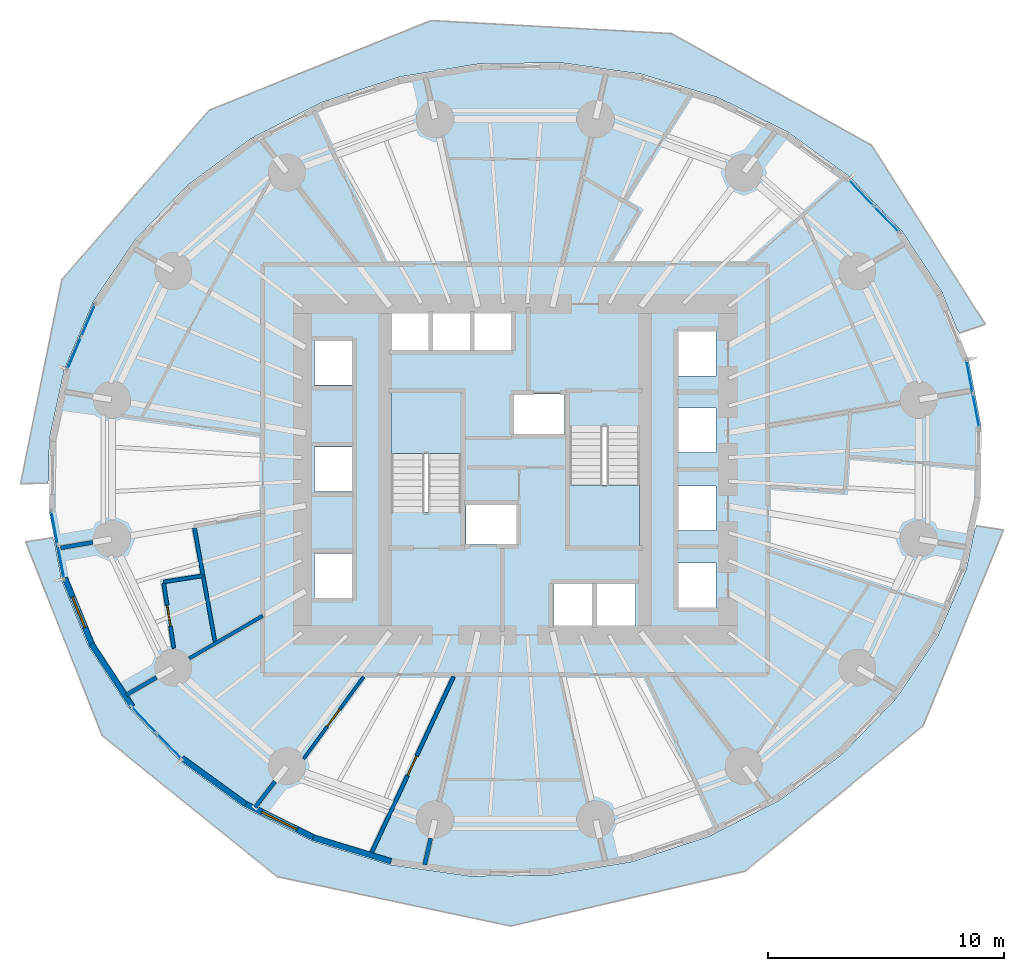
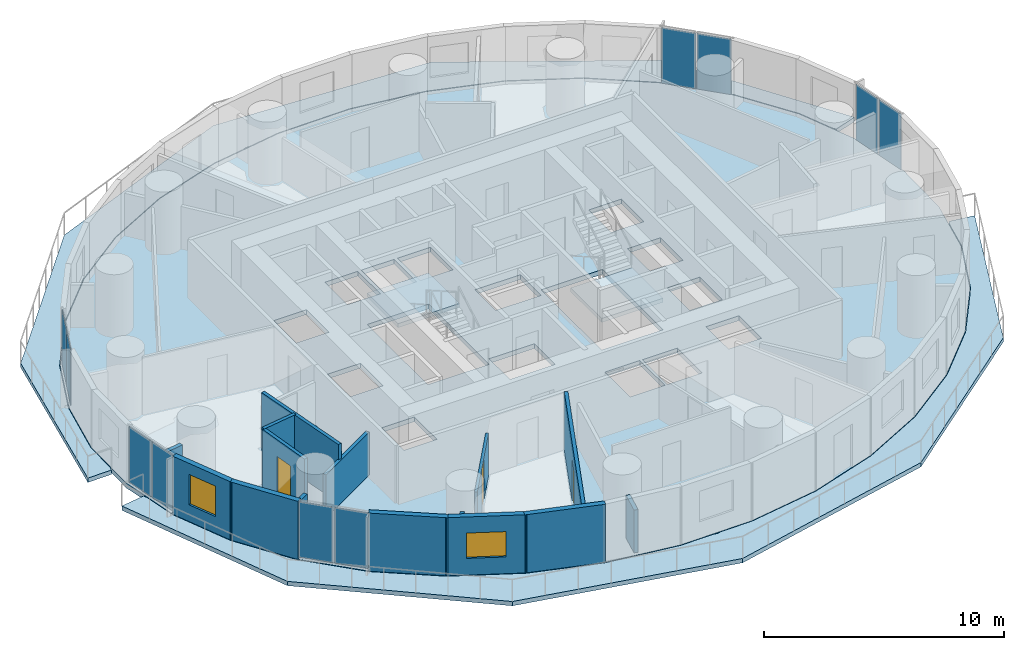
# One storey, part 6 of 14: 15 walls, 10 plates, 5 slabs, 3 doors, 2 windows, 5 openings, 7 elements without a shape of their own.
"""IFC4 building model written with IfcOpenShell, lengths in metres."""

from ifc_helpers import new_model, si_unit, direction, frame, frame_2d, origin, origin_2d, place, context, subcontext, project, spatial, polyline, rectangle, outline, extrude, material, layer, layer_set, type_object, element, fill, aggregate, save


model = new_model("IFC4")

# Units and contexts
model_context = context("Model", 3, precision=1e-05, world=origin(), true_north=direction((0.0, 1.0)))
body_context = subcontext(model_context, "Body", "Model", "MODEL_VIEW")
ifc_project = project(units=[si_unit("LENGTHUNIT", "METRE"), si_unit("AREAUNIT", "SQUARE_METRE"), si_unit("VOLUMEUNIT", "CUBIC_METRE"), si_unit("PLANEANGLEUNIT", "RADIAN"), si_unit("MASSUNIT", "GRAM", prefix="KILO")], contexts=[model_context])

# Site, building, storey
site_placement = place(None, origin())
site = spatial("IfcSite", under=ifc_project, at=site_placement, CompositionType="ELEMENT")
building_placement = place(site_placement, origin())
building = spatial("IfcBuilding", under=site, at=building_placement, Name="Veldorim Arch Residences", CompositionType="ELEMENT")
storey_placement = place(building_placement, frame((0.0, 0.0, 31.199951171875)))
storey = spatial("IfcBuildingStorey", under=building, at=storey_placement, Name="L08", CompositionType="ELEMENT", Elevation=31.199951171875)

# Slabs
ifc_material_1 = material(Name="Concrete C40/50", Category="concrete")
ifc_layer_1 = layer(ifc_material_1, 0.219970703125, Name="Planted Crescent Cantilever Balcony Slab 220")
ifc_layer_set_1 = layer_set([ifc_layer_1], Name="Concrete C40/50")
slab_type_1 = type_object("IfcSlabType", Name="Planted Crescent Cantilever Balcony Slab 220", PredefinedType="FLOOR", material=ifc_layer_set_1)
slab_1_placement = place(storey_placement, frame((0.0, 0.0, -0.219970703125)))
element("IfcSlab", 1, at=slab_1_placement, inside=storey, type_object=slab_type_1, Name="L08 planted crescent balcony slab A", PredefinedType="FLOOR", context=body_context, shape_type="SweptSolid", body=[
    extrude(outline(polyline([(50.68505859375, 29.9228515625), (50.039306640625, 31.50634765625), (48.34521484375, 34.0888671875), (46.154296875, 36.364501953125), (43.533447265625, 38.2646484375), (40.562255859375, 39.731201171875), (37.331298828125, 40.719482421875), (33.9384765625, 41.2001953125), (30.48681640625, 41.158447265625), (28.98876953125, 40.910888671875), (28.791015625, 40.919189453125), (28.60693359375, 40.84765625), (27.0810546875, 40.595458984375), (23.82470703125, 39.5283203125), (20.81640625, 37.989501953125), (18.14794921875, 36.02587890625), (15.900146484375, 33.696533203125), (14.141357421875, 31.072265625), (12.92529296875, 28.23291015625), (12.288818359375, 25.264892578125), (12.268310546875, 23.6015625), (12.219482421875, 23.41748046875), (11.06982421875, 23.393798828125), (12.82080078125, 32.031005859375), (19.05859375, 39.198486328125), (28.426513671875, 42.9873046875), (38.608642578125, 42.4375), (47.082763671875, 37.701171875), (51.885498046875, 30.13818359375), (50.797119140625, 29.767333984375), (50.68505859375, 29.9228515625)])), origin(), (0.0, 0.0, 1.0), 0.219970703125),
])
slab_2_placement = place(storey_placement, frame((0.0, 0.0, -0.219970703125)))
element("IfcSlab", 2, at=slab_2_placement, inside=storey, type_object=slab_type_1, Name="L08 planted crescent balcony slab B", PredefinedType="FLOOR", context=body_context, shape_type="SweptSolid", body=[
    extrude(outline(polyline([(12.503173828125, 20.9384765625), (12.814453125, 19.3046875), (13.960693359375, 16.49365234375), (15.65478515625, 13.9111328125), (17.845703125, 11.635498046875), (20.466552734375, 9.7353515625), (23.437744140625, 8.268798828125), (26.668701171875, 7.280517578125), (30.0615234375, 6.7998046875), (31.6083984375, 6.818359375), (31.8017578125, 6.7802734375), (31.994873046875, 6.822998046875), (33.51318359375, 6.841552734375), (36.9189453125, 7.404541015625), (40.17529296875, 8.4716796875), (43.18359375, 10.010498046875), (45.85205078125, 11.97412109375), (48.099853515625, 14.303466796875), (49.858642578125, 16.927734375), (51.07470703125, 19.76708984375), (51.43310546875, 21.438720703125), (51.516357421875, 21.611572265625), (52.653076171875, 21.43701171875), (49.248046875, 13.150146484375), (41.733642578125, 7.00390625), (31.8046875, 4.680419921875), (21.91845703125, 6.77099609375), (14.5224609375, 12.736083984375), (11.286865234375, 20.93359375), (12.4228515625, 21.111572265625), (12.503173828125, 20.9384765625)])), origin(), (0.0, 0.0, 1.0), 0.219970703125),
])

# Stair, slab
ifc_material_2 = material(Name="Concrete C40/50", Category="concrete")
stair_type = type_object("IfcStairType", Name="Reinforced Concrete Dogleg Exit Staircase", PredefinedType="HALF_TURN_STAIR", material=ifc_material_2)
stair_1_placement = place(storey_placement, origin())
stair_1 = element("IfcStair", 3, at=stair_1_placement, inside=storey, type_object=stair_type, Name="L08 Exit Staircase ST-1", PredefinedType="HALF_TURN_STAIR")
ifc_material_3 = material(Name="Concrete C40/50", Category="concrete")
ifc_layer_2 = layer(ifc_material_3, 0.199951171875, Name="Reinforced Concrete Stair Landing 200")
ifc_layer_set_2 = layer_set([ifc_layer_2], Name="Concrete C40/50")
slab_type_2 = type_object("IfcSlabType", Name="Reinforced Concrete Stair Landing 200", PredefinedType="LANDING", material=ifc_layer_set_2)
slab_3_placement = place(storey_placement, frame((0.0, 0.0, 1.400146484375)))
slab_3 = element("IfcSlab", 4, at=slab_3_placement, type_object=slab_type_2, Name="ST-1 landing 1", PredefinedType="LANDING", context=body_context, shape_type="SweptSolid", body=[
    extrude(outline(polyline([(29.7099609375, 24.669921875), (29.7099609375, 27.25), (26.75, 27.25), (26.75, 24.669921875), (29.7099609375, 24.669921875)])), origin(), (0.0, 0.0, 1.0), 0.199951171875),
])
aggregate(stair_1, [slab_3])

stair_2_placement = place(storey_placement, origin())
stair_2 = element("IfcStair", 5, at=stair_2_placement, inside=storey, type_object=stair_type, Name="L08 Exit Staircase ST-2", PredefinedType="HALF_TURN_STAIR")
slab_4_placement = place(storey_placement, frame((0.0, 0.0, 1.400146484375)))
slab_4 = element("IfcSlab", 6, at=slab_4_placement, type_object=slab_type_2, Name="ST-2 landing 1", PredefinedType="LANDING", context=body_context, shape_type="SweptSolid", body=[
    extrude(outline(polyline([(34.2900390625, 23.330078125), (34.2900390625, 20.75), (37.25, 20.75), (37.25, 23.330078125), (34.2900390625, 23.330078125)])), origin(), (0.0, 0.0, 1.0), 0.199951171875),
])
aggregate(stair_2, [slab_4])

# Slab
ifc_material_4 = material(Name="Concrete C40/50", Category="concrete")
ifc_layer_3 = layer(ifc_material_4, 0.239990234375, Name="Typical Residential Floor Slab 240")
ifc_layer_set_3 = layer_set([ifc_layer_3], Name="Concrete C40/50")
slab_type_3 = type_object("IfcSlabType", Name="Typical Residential Floor Slab 240", PredefinedType="FLOOR", material=ifc_layer_set_3)
slab_5_placement = place(storey_placement, frame((0.0, 0.0, -0.239990234375)))
element("IfcSlab", 7, at=slab_5_placement, inside=storey, type_object=slab_type_3, Name="L08 tower structural floor slab", PredefinedType="FLOOR", context=body_context, shape_type="SweptSolid", body=[
    extrude(outline(polyline([(51.723388671875, 25.739501953125), (51.161376953125, 28.688232421875), (50.01708984375, 31.49462890625), (48.325439453125, 34.0732421875), (46.1376953125, 36.345703125), (43.5205078125, 38.2431640625), (40.552978515625, 39.707763671875), (37.325927734375, 40.695068359375), (33.93701171875, 41.17529296875), (30.489013671875, 41.133544921875), (27.0869140625, 40.571044921875), (23.834228515625, 39.50537109375), (20.82958984375, 37.96826171875), (18.16455078125, 36.0068359375), (15.919677734375, 33.6806640625), (14.16357421875, 31.060302734375), (12.94921875, 28.225341796875), (12.313720703125, 25.26220703125), (12.276611328125, 22.260498046875), (12.838623046875, 19.311767578125), (13.98291015625, 16.50537109375), (15.674560546875, 13.9267578125), (17.8623046875, 11.654296875), (20.4794921875, 9.7568359375), (23.447021484375, 8.292236328125), (26.674072265625, 7.304931640625), (30.06298828125, 6.82470703125), (33.510986328125, 6.866455078125), (36.9130859375, 7.428955078125), (40.165771484375, 8.49462890625), (43.17041015625, 10.03173828125), (45.83544921875, 11.9931640625), (48.080322265625, 14.3193359375), (49.83642578125, 16.939697265625), (51.05078125, 19.774658203125), (51.686279296875, 22.73779296875), (51.723388671875, 25.739501953125)]), holes=[polyline([(23.510009765625, 20.43994140625), (25.090087890625, 20.43994140625), (25.090087890625, 18.56005859375), (23.510009765625, 18.56005859375), (23.510009765625, 20.43994140625)]), polyline([(29.909912109375, 22.544921875), (32.090087890625, 22.544921875), (32.090087890625, 20.81494140625), (29.909912109375, 20.81494140625), (29.909912109375, 22.544921875)]), polyline([(23.510009765625, 24.93994140625), (25.090087890625, 24.93994140625), (25.090087890625, 23.06005859375), (23.510009765625, 23.06005859375), (23.510009765625, 24.93994140625)]), polyline([(26.75, 27.25), (29.7099609375, 27.25), (29.7099609375, 22.195068359375), (26.75, 22.195068359375), (26.75, 27.25)]), polyline([(23.510009765625, 29.43994140625), (25.090087890625, 29.43994140625), (25.090087890625, 27.56005859375), (23.510009765625, 27.56005859375), (23.510009765625, 29.43994140625)]), polyline([(26.760009765625, 30.7900390625), (28.340087890625, 30.7900390625), (28.340087890625, 28.909912109375), (26.760009765625, 28.909912109375), (26.760009765625, 30.7900390625)]), polyline([(28.510009765625, 30.7900390625), (30.090087890625, 30.7900390625), (30.090087890625, 28.909912109375), (28.510009765625, 28.909912109375), (28.510009765625, 30.7900390625)]), polyline([(30.260009765625, 30.7900390625), (31.840087890625, 30.7900390625), (31.840087890625, 28.909912109375), (30.260009765625, 28.909912109375), (30.260009765625, 30.7900390625)]), polyline([(33.610107421875, 19.2900390625), (35.2900390625, 19.2900390625), (35.2900390625, 17.2099609375), (33.610107421875, 17.2099609375), (33.610107421875, 19.2900390625)]), polyline([(35.409912109375, 19.2900390625), (37.090087890625, 19.2900390625), (37.090087890625, 17.2099609375), (35.409912109375, 17.2099609375), (35.409912109375, 19.2900390625)]), polyline([(38.909912109375, 20.0400390625), (40.489990234375, 20.0400390625), (40.489990234375, 18.159912109375), (38.909912109375, 18.159912109375), (38.909912109375, 20.0400390625)]), polyline([(38.909912109375, 23.2900390625), (40.489990234375, 23.2900390625), (40.489990234375, 21.409912109375), (38.909912109375, 21.409912109375), (38.909912109375, 23.2900390625)]), polyline([(34.2900390625, 25.804931640625), (37.25, 25.804931640625), (37.25, 20.75), (34.2900390625, 20.75), (34.2900390625, 25.804931640625)]), polyline([(38.909912109375, 26.590087890625), (40.489990234375, 26.590087890625), (40.489990234375, 24.7099609375), (38.909912109375, 24.7099609375), (38.909912109375, 26.590087890625)]), polyline([(31.909912109375, 27.18505859375), (34.090087890625, 27.18505859375), (34.090087890625, 25.455078125), (31.909912109375, 25.455078125), (31.909912109375, 27.18505859375)]), polyline([(38.909912109375, 29.840087890625), (40.489990234375, 29.840087890625), (40.489990234375, 27.9599609375), (38.909912109375, 27.9599609375), (38.909912109375, 29.840087890625)])]), origin(), (0.0, 0.0, 1.0), 0.239990234375),
])

# Curtain wall, plates
ifc_material_5 = material(Name="Aluminium", Category="aluminium")
curtain_wall_type = type_object("IfcCurtainWallType", Name="Zone 1 Acoustic Low-E Unitised Curtain Wall", PredefinedType="NOTDEFINED", material=ifc_material_5)
curtain_wall_1_placement = place(storey_placement, origin())
curtain_wall_1 = element("IfcCurtainWall", 8, at=curtain_wall_1_placement, inside=storey, type_object=curtain_wall_type, Name="L08 unitised curtain wall bay 01", PredefinedType="NOTDEFINED")
ifc_material_6 = material(Name="Laminated Low-E Glass", Category="glass")
ifc_layer_4 = layer(ifc_material_6, 0.02587890625, Name="Zone 1 Acoustic Low-E Unitised Curtain Wall Glazing Panel 26")
ifc_layer_set_4 = layer_set([ifc_layer_4], Name="Laminated Low-E Glass")
plate_type = type_object("IfcPlateType", Name="Zone 1 Acoustic Low-E Unitised Curtain Wall Glazing Panel 26", PredefinedType="CURTAIN_PANEL", material=ifc_layer_set_4)
plate_1_placement = place(storey_placement, frame((51.216552734375, 27.918212890625, 0.06494140625), z_axis=(0.0, 0.0, 1.0), x_axis=(0.187222325819, -0.982317566124, 0.0)))
plate_1 = element("IfcPlate", 9, at=plate_1_placement, type_object=plate_type, Name="CW-Z1 panel 1.1", PredefinedType="CURTAIN_PANEL", context=body_context, shape_type="SweptSolid", body=[
    extrude(rectangle(XDim=1.4033203125, YDim=0.02587890625, at=origin_2d()), origin(), (0.0, 0.0, 1.0), 2.830078125),
])
plate_2_placement = place(storey_placement, frame((51.491455078125, 26.475830078125, 0.06494140625), z_axis=(0.0, 0.0, 1.0), x_axis=(0.187222325819, -0.982317566124, 0.0)))
plate_2 = element("IfcPlate", 10, at=plate_2_placement, type_object=plate_type, Name="CW-Z1 panel 2.1", PredefinedType="CURTAIN_PANEL", context=body_context, shape_type="SweptSolid", body=[
    extrude(rectangle(XDim=1.4033203125, YDim=0.02587890625, at=origin_2d()), origin(), (0.0, 0.0, 1.0), 2.830078125),
])
aggregate(curtain_wall_1, [plate_1, plate_2])

curtain_wall_2_placement = place(storey_placement, origin())
curtain_wall_2 = element("IfcCurtainWall", 11, at=curtain_wall_2_placement, inside=storey, type_object=curtain_wall_type, Name="L08 unitised curtain wall bay 04", PredefinedType="NOTDEFINED")
plate_3_placement = place(storey_placement, frame((46.631103515625, 35.703369140625, 0.06494140625), z_axis=(0.0, 0.0, 1.0), x_axis=(0.693537504278, -0.720420523139, 0.0)))
plate_3 = element("IfcPlate", 12, at=plate_3_placement, type_object=plate_type, Name="CW-Z1 panel 1.1", PredefinedType="CURTAIN_PANEL", context=body_context, shape_type="SweptSolid", body=[
    extrude(rectangle(XDim=1.479736328125, YDim=0.02587890625, at=origin_2d()), origin(), (0.0, 0.0, 1.0), 2.830078125),
])
plate_4_placement = place(storey_placement, frame((47.702392578125, 34.590576171875, 0.06494140625), z_axis=(0.0, 0.0, 1.0), x_axis=(0.693537504278, -0.720420523139, 0.0)))
plate_4 = element("IfcPlate", 13, at=plate_4_placement, type_object=plate_type, Name="CW-Z1 panel 2.1", PredefinedType="CURTAIN_PANEL", context=body_context, shape_type="SweptSolid", body=[
    extrude(rectangle(XDim=1.479736328125, YDim=0.02587890625, at=origin_2d()), origin(), (0.0, 0.0, 1.0), 2.830078125),
])
aggregate(curtain_wall_2, [plate_3, plate_4])

curtain_wall_3_placement = place(storey_placement, origin())
curtain_wall_3 = element("IfcCurtainWall", 14, at=curtain_wall_3_placement, inside=storey, type_object=curtain_wall_type, Name="L08 unitised curtain wall bay 16", PredefinedType="NOTDEFINED")
plate_5_placement = place(storey_placement, frame((13.341796875, 28.91357421875, 0.06494140625), z_axis=(0.0, 0.0, 1.0), x_axis=(0.393739275232, 0.919222162015, 0.0)))
plate_5 = element("IfcPlate", 15, at=plate_5_placement, type_object=plate_type, Name="CW-Z1 panel 1.1", PredefinedType="CURTAIN_PANEL", context=body_context, shape_type="SweptSolid", body=[
    extrude(rectangle(XDim=1.444580078125, YDim=0.02587890625, at=origin_2d()), origin(), (0.0, 0.0, 1.0), 2.830078125),
])
plate_6_placement = place(storey_placement, frame((13.936279296875, 30.30126953125, 0.06494140625), z_axis=(0.0, 0.0, 1.0), x_axis=(0.393739275232, 0.919222162015, 0.0)))
plate_6 = element("IfcPlate", 16, at=plate_6_placement, type_object=plate_type, Name="CW-Z1 panel 2.1", PredefinedType="CURTAIN_PANEL", context=body_context, shape_type="SweptSolid", body=[
    extrude(rectangle(XDim=1.444580078125, YDim=0.02587890625, at=origin_2d()), origin(), (0.0, 0.0, 1.0), 2.830078125),
])
aggregate(curtain_wall_3, [plate_5, plate_6])

curtain_wall_4_placement = place(storey_placement, origin())
curtain_wall_4 = element("IfcCurtainWall", 17, at=curtain_wall_4_placement, inside=storey, type_object=curtain_wall_type, Name="L08 unitised curtain wall bay 19", PredefinedType="NOTDEFINED")
plate_7_placement = place(storey_placement, frame((12.783447265625, 20.081787109375, 0.06494140625), z_axis=(0.0, 0.0, 1.0), x_axis=(-0.187222325819, 0.982317566124, 0.0)))
plate_7 = element("IfcPlate", 18, at=plate_7_placement, type_object=plate_type, Name="CW-Z1 panel 1.1", PredefinedType="CURTAIN_PANEL", context=body_context, shape_type="SweptSolid", body=[
    extrude(rectangle(XDim=1.4033203125, YDim=0.02587890625, at=origin_2d()), origin(), (0.0, 0.0, 1.0), 2.830078125),
])
plate_8_placement = place(storey_placement, frame((12.508544921875, 21.524169921875, 0.06494140625), z_axis=(0.0, 0.0, 1.0), x_axis=(-0.187222325819, 0.982317566124, 0.0)))
plate_8 = element("IfcPlate", 19, at=plate_8_placement, type_object=plate_type, Name="CW-Z1 panel 2.1", PredefinedType="CURTAIN_PANEL", context=body_context, shape_type="SweptSolid", body=[
    extrude(rectangle(XDim=1.4033203125, YDim=0.02587890625, at=origin_2d()), origin(), (0.0, 0.0, 1.0), 2.830078125),
])
aggregate(curtain_wall_4, [plate_7, plate_8])

curtain_wall_5_placement = place(storey_placement, origin())
curtain_wall_5 = element("IfcCurtainWall", 20, at=curtain_wall_5_placement, inside=storey, type_object=curtain_wall_type, Name="L08 unitised curtain wall bay 22", PredefinedType="NOTDEFINED")
plate_9_placement = place(storey_placement, frame((17.368896484375, 12.296630859375, 0.06494140625), z_axis=(0.0, 0.0, 1.0), x_axis=(-0.693537504278, 0.720420523139, 0.0)))
plate_9 = element("IfcPlate", 21, at=plate_9_placement, type_object=plate_type, Name="CW-Z1 panel 1.1", PredefinedType="CURTAIN_PANEL", context=body_context, shape_type="SweptSolid", body=[
    extrude(rectangle(XDim=1.479736328125, YDim=0.02587890625, at=origin_2d()), origin(), (0.0, 0.0, 1.0), 2.830078125),
])
plate_10_placement = place(storey_placement, frame((16.297607421875, 13.409423828125, 0.06494140625), z_axis=(0.0, 0.0, 1.0), x_axis=(-0.693537504278, 0.720420523139, 0.0)))
plate_10 = element("IfcPlate", 22, at=plate_10_placement, type_object=plate_type, Name="CW-Z1 panel 2.1", PredefinedType="CURTAIN_PANEL", context=body_context, shape_type="SweptSolid", body=[
    extrude(rectangle(XDim=1.479736328125, YDim=0.02587890625, at=origin_2d()), origin(), (0.0, 0.0, 1.0), 2.830078125),
])
aggregate(curtain_wall_5, [plate_9, plate_10])

# Wall, opening, door
ifc_material_7 = material(Name="Acoustic Gypsum Board", Category="gypsum")
ifc_layer_5 = layer(ifc_material_7, 0.125, Name="Acoustic Stud Room Partition Wall 125")
ifc_layer_set_5 = layer_set([ifc_layer_5], Name="Acoustic Gypsum Board")
wall_type_1 = type_object("IfcWallType", Name="Acoustic Stud Room Partition Wall 125", PredefinedType="PARTITIONING", material=ifc_layer_set_5)
wall_1_placement = place(storey_placement, frame((23.03759765625, 11.747314453125, 0.0), z_axis=(0.0, 0.0, 1.0), x_axis=(0.590387510638, 0.807119933642, 0.0)))
wall_1 = element("IfcWall", 23, at=wall_1_placement, inside=storey, type_object=wall_type_1, Name="L08 interior wall WL-RES-L08-009", PredefinedType="PARTITIONING", context=body_context, shape_type="SweptSolid", body=[
    extrude(rectangle(XDim=4.306396484375, YDim=0.125, at=frame_2d((2.1533203125, 0.0))), origin(), (0.0, 0.0, 1.0), 2.17822265625),
])
opening_1_placement = place(wall_1_placement, frame((1.703125, 0.0, 0.0)))
opening_1 = element("IfcOpeningElement", 24, at=opening_1_placement, cuts=wall_1, Name="Opening DR-INT", PredefinedType="OPENING", context=body_context, shape_type="SweptSolid", body=[
    extrude(rectangle(XDim=0.89990234375, YDim=2.10009765625, at=frame_2d((0.449951171875, 1.050048828125))), frame((0.0, 0.072509765625, 0.0), z_axis=(0.0, -1.0, 0.0), x_axis=(1.0, 0.0, 0.0)), (0.0, 0.0, 1.0), 0.14501953125),
])
ifc_material_8 = material(Name="Engineered Timber", Category="wood")
door_type_1 = type_object("IfcDoorType", Name="Apartment Internal Room Timber Door 900x2100", OperationType="SINGLE_SWING_LEFT", PredefinedType="DOOR", material=ifc_material_8)
door_1_placement = place(opening_1_placement, origin())
door_1 = element("IfcDoor", 25, at=door_1_placement, inside=storey, type_object=door_type_1, Name="L08 interior door DR-RES-L08-003", OperationType="SINGLE_SWING_LEFT", OverallHeight=2.10009765625, OverallWidth=0.89990234375, PredefinedType="DOOR", context=body_context, shape_type="SweptSolid", body=[
    extrude(rectangle(XDim=0.89990234375, YDim=2.10009765625, at=frame_2d((0.449951171875, 1.050048828125))), frame((0.0, 0.02490234375, 0.0), z_axis=(0.0, -1.0, 0.0), x_axis=(1.0, 0.0, 0.0)), (0.0, 0.0, 1.0), 0.050048828125),
])
fill(opening_1, door_1)

# Walls
ifc_material_9 = material(Name="Lightweight Masonry Block & Gypsum", Category="masonry")
ifc_layer_6 = layer(ifc_material_9, 0.179931640625, Name="Compartment & Corridor Fire-Rated Party Wall 180")
ifc_layer_set_6 = layer_set([ifc_layer_6], Name="Lightweight Masonry Block & Gypsum")
wall_type_2 = type_object("IfcWallType", Name="Compartment & Corridor Fire-Rated Party Wall 180", PredefinedType="PARTITIONING", material=ifc_layer_set_6)
wall_2_placement = place(storey_placement, frame((14.126220703125, 20.91455078125, 0.0), z_axis=(0.0, 0.0, 1.0), x_axis=(-0.985429571056, -0.170083980696, 0.0)))
element("IfcWall", 26, at=wall_2_placement, inside=storey, type_object=wall_type_2, Name="L08 interior wall WL-PIER-L08-09", PredefinedType="PARTITIONING", context=body_context, shape_type="SweptSolid", body=[
    extrude(rectangle(XDim=1.38525390625, YDim=0.179931640625, at=frame_2d((0.692626953125, 0.0))), origin(), (0.0, 0.0, 1.0), 2.17822265625),
])
wall_3_placement = place(storey_placement, frame((16.822998046875, 15.19970703125, 0.0), z_axis=(0.0, 0.0, 1.0), x_axis=(-0.865049792178, -0.501686014408, 0.0)))
element("IfcWall", 27, at=wall_3_placement, inside=storey, type_object=wall_type_2, Name="L08 interior wall WL-PIER-L08-10", PredefinedType="PARTITIONING", context=body_context, shape_type="SweptSolid", body=[
    extrude(rectangle(XDim=1.48095703125, YDim=0.179931640625, at=frame_2d((0.740478515625, 0.0))), origin(), (0.0, 0.0, 1.0), 2.17822265625),
])
wall_4_placement = place(storey_placement, frame((21.832763671875, 10.795166015625, 0.0), z_axis=(0.0, 0.0, 1.0), x_axis=(-0.609967804345, -0.792426196982, 0.0)))
element("IfcWall", 28, at=wall_4_placement, inside=storey, type_object=wall_type_2, Name="L08 interior wall WL-PIER-L08-11", PredefinedType="PARTITIONING", context=body_context, shape_type="SweptSolid", body=[
    extrude(rectangle(XDim=1.376953125, YDim=0.179931640625, at=frame_2d((0.6884765625, 0.0))), origin(), (0.0, 0.0, 1.0), 2.17822265625),
])
wall_5_placement = place(storey_placement, frame((28.422119140625, 8.390869140625, 0.0), z_axis=(0.0, 0.0, 1.0), x_axis=(-0.223317049761, -0.974745861897, 0.0)))
element("IfcWall", 29, at=wall_5_placement, inside=storey, type_object=wall_type_2, Name="L08 interior wall WL-PIER-L08-12", PredefinedType="PARTITIONING", context=body_context, shape_type="SweptSolid", body=[
    extrude(rectangle(XDim=1.14453125, YDim=0.179931640625, at=frame_2d((0.572265625, 0.0))), origin(), (0.0, 0.0, 1.0), 2.17822265625),
])

# Wall, opening, window
ifc_material_10 = material(Name="Precast concrete C40/50", Category="concrete")
ifc_layer_7 = layer(ifc_material_10, 0.25, Name="Tower Terracotta Spandrel & Pier Wall 250")
ifc_layer_set_7 = layer_set([ifc_layer_7], Name="Precast concrete C40/50")
wall_type_3 = type_object("IfcWallType", Name="Tower Terracotta Spandrel & Pier Wall 250", PredefinedType="SOLIDWALL", material=ifc_layer_set_7)
wall_6_placement = place(storey_placement, frame((14.115478515625, 16.510986328125, 0.0), z_axis=(0.0, 0.0, 1.0), x_axis=(-0.377493207518, 0.926012353199, 0.0)))
wall_6 = element("IfcWall", 30, at=wall_6_placement, inside=storey, type_object=wall_type_3, Name="L08 terracotta facade wall 20", PredefinedType="SOLIDWALL", context=body_context, shape_type="SweptSolid", body=[
    extrude(rectangle(XDim=3.12060546875, YDim=0.25, at=frame_2d((1.560302734375, 0.0))), origin(), (0.0, 0.0, 1.0), 2.9599609375),
])
opening_2_placement = place(wall_6_placement, frame((0.860107421875, 0.0, 0.85009765625)))
opening_2 = element("IfcOpeningElement", 31, at=opening_2_placement, cuts=wall_6, Name="Opening WN-02", PredefinedType="OPENING", context=body_context, shape_type="SweptSolid", body=[
    extrude(rectangle(XDim=1.39990234375, YDim=1.550048828125, at=frame_2d((0.699951171875, 0.77490234375))), frame((0.0, 0.135009765625, 0.0), z_axis=(0.0, -1.0, 0.0), x_axis=(1.0, 0.0, 0.0)), (0.0, 0.0, 1.0), 0.27001953125),
])
ifc_material_11 = material(Name="Laminated Low-E Glass", Category="glass")
window_type_1 = type_object("IfcWindowType", Name="Residential Casement Window 1400x1550", PartitioningType="SINGLE_PANEL", PredefinedType="WINDOW", material=ifc_material_11)
window_1_placement = place(opening_2_placement, origin())
window_1 = element("IfcWindow", 32, at=window_1_placement, inside=storey, type_object=window_type_1, Name="L08 solar-control facade window 20", OverallHeight=1.550048828125, OverallWidth=1.39990234375, PartitioningType="SINGLE_PANEL", PredefinedType="WINDOW", context=body_context, shape_type="SweptSolid", body=[
    extrude(rectangle(XDim=1.39990234375, YDim=1.550048828125, at=frame_2d((0.699951171875, 0.77490234375))), frame((0.0, 0.030029296875, 0.0), z_axis=(0.0, -1.0, 0.0), x_axis=(1.0, 0.0, 0.0)), (0.0, 0.0, 1.0), 0.06005859375),
])
fill(opening_2, window_1)

# Walls
wall_7_placement = place(storey_placement, frame((15.8037109375, 13.957763671875, 0.0), z_axis=(0.0, 0.0, 1.0), x_axis=(-0.548579153619, 0.836098625889, 0.0)))
element("IfcWall", 33, at=wall_7_placement, inside=storey, type_object=wall_type_3, Name="L08 terracotta facade wall 21", PredefinedType="SOLIDWALL", context=body_context, shape_type="SweptSolid", body=[
    extrude(rectangle(XDim=3.174072265625, YDim=0.25, at=frame_2d((1.5869140625, 0.0))), origin(), (0.0, 0.0, 1.0), 2.9599609375),
])
wall_8_placement = place(storey_placement, frame((20.58935546875, 9.831787109375, 0.0), z_axis=(0.0, 0.0, 1.0), x_axis=(-0.809637503316, 0.58693024562, 0.0)))
element("IfcWall", 34, at=wall_8_placement, inside=storey, type_object=wall_type_3, Name="L08 terracotta facade wall 23", PredefinedType="SOLIDWALL", context=body_context, shape_type="SweptSolid", body=[
    extrude(rectangle(XDim=3.32275390625, YDim=0.25, at=frame_2d((1.661376953125, 0.0))), origin(), (0.0, 0.0, 1.0), 2.9599609375),
])

# Wall, opening, window
wall_9_placement = place(storey_placement, frame((23.54248046875, 8.384521484375, 0.0), z_axis=(0.0, 0.0, 1.0), x_axis=(-0.896727977212, 0.442582122193, 0.0)))
wall_9 = element("IfcWall", 35, at=wall_9_placement, inside=storey, type_object=wall_type_3, Name="L08 terracotta facade wall 24", PredefinedType="SOLIDWALL", context=body_context, shape_type="SweptSolid", body=[
    extrude(rectangle(XDim=3.399169921875, YDim=0.25, at=frame_2d((1.69970703125, 0.0))), origin(), (0.0, 0.0, 1.0), 2.9599609375),
])
opening_3_placement = place(wall_9_placement, frame((0.875, 0.0, 0.85009765625)))
opening_3 = element("IfcOpeningElement", 36, at=opening_3_placement, cuts=wall_9, Name="Opening WN-03", PredefinedType="OPENING", context=body_context, shape_type="SweptSolid", body=[
    extrude(rectangle(XDim=1.64990234375, YDim=1.2900390625, at=frame_2d((0.824951171875, 0.64501953125))), frame((0.0, 0.135009765625, 0.0), z_axis=(0.0, -1.0, 0.0), x_axis=(1.0, 0.0, 0.0)), (0.0, 0.0, 1.0), 0.27001953125),
])
ifc_material_12 = material(Name="Laminated Low-E Glass", Category="glass")
window_type_2 = type_object("IfcWindowType", Name="Residential Wide Window 1650x1550", PartitioningType="SINGLE_PANEL", PredefinedType="WINDOW", material=ifc_material_12)
window_2_placement = place(opening_3_placement, origin())
window_2 = element("IfcWindow", 37, at=window_2_placement, inside=storey, type_object=window_type_2, Name="L08 solar-control facade window 24", OverallHeight=1.2900390625, OverallWidth=1.64990234375, PartitioningType="SINGLE_PANEL", PredefinedType="WINDOW", context=body_context, shape_type="SweptSolid", body=[
    extrude(rectangle(XDim=1.64990234375, YDim=1.2900390625, at=frame_2d((0.824951171875, 0.64501953125))), frame((0.0, 0.030029296875, 0.0), z_axis=(0.0, -1.0, 0.0), x_axis=(1.0, 0.0, 0.0)), (0.0, 0.0, 1.0), 0.06005859375),
])
fill(opening_3, window_2)

# Wall
wall_10_placement = place(storey_placement, frame((26.753662109375, 7.411376953125, 0.0), z_axis=(0.0, 0.0, 1.0), x_axis=(-0.956266745267, 0.292496003213, 0.0)))
element("IfcWall", 38, at=wall_10_placement, inside=storey, type_object=wall_type_3, Name="L08 terracotta facade wall 25", PredefinedType="SOLIDWALL", context=body_context, shape_type="SweptSolid", body=[
    extrude(rectangle(XDim=3.46484375, YDim=0.25, at=frame_2d((1.732421875, 0.0))), origin(), (0.0, 0.0, 1.0), 2.9599609375),
])

# Wall, opening, door
ifc_material_13 = material(Name="Moisture-Resistant Gypsum & Stud", Category="gypsum")
ifc_layer_8 = layer(ifc_material_13, 0.159912109375, Name="Wet-Area Moisture-Resistant Plumbing Wall 160")
ifc_layer_set_8 = layer_set([ifc_layer_8], Name="Moisture-Resistant Gypsum & Stud")
wall_type_4 = type_object("IfcWallType", Name="Wet-Area Moisture-Resistant Plumbing Wall 160", PredefinedType="PLUMBINGWALL", material=ifc_layer_set_8)
wall_11_placement = place(storey_placement, frame((29.389892578125, 15.229248046875, 0.0), z_axis=(0.0, 0.0, 1.0), x_axis=(-0.421930101453, -0.906628363492, 0.0)))
wall_11 = element("IfcWall", 39, at=wall_11_placement, inside=storey, type_object=wall_type_4, Name="L08 interior wall WL-RES-L08-008", PredefinedType="PLUMBINGWALL", context=body_context, shape_type="SweptSolid", body=[
    extrude(rectangle(XDim=8.31201171875, YDim=0.159912109375, at=frame_2d((4.156005859375, 0.0))), origin(), (0.0, 0.0, 1.0), 2.955078125),
])
opening_4_placement = place(wall_11_placement, frame((3.7060546875, 0.0, 0.0)))
opening_4 = element("IfcOpeningElement", 40, at=opening_4_placement, cuts=wall_11, Name="Opening DR-WC", PredefinedType="OPENING", context=body_context, shape_type="SweptSolid", body=[
    extrude(rectangle(XDim=0.89990234375, YDim=2.10009765625, at=frame_2d((0.449951171875, 1.050048828125))), frame((0.0, 0.08984375, 0.0), z_axis=(0.0, -1.0, 0.0), x_axis=(1.0, 0.0, 0.0)), (0.0, 0.0, 1.0), 0.179931640625),
])
ifc_material_14 = material(Name="Laminate Timber", Category="wood")
door_type_2 = type_object("IfcDoorType", Name="Bathroom & Accessible WC Moisture-Sealed Door 900x2100", OperationType="SINGLE_SWING_LEFT", PredefinedType="DOOR", material=ifc_material_14)
door_2_placement = place(opening_4_placement, origin())
door_2 = element("IfcDoor", 41, at=door_2_placement, inside=storey, type_object=door_type_2, Name="L08 interior door DR-RES-L08-002", OperationType="SINGLE_SWING_RIGHT", OverallHeight=2.10009765625, OverallWidth=0.89990234375, PredefinedType="DOOR", context=body_context, shape_type="SweptSolid", body=[
    extrude(rectangle(XDim=0.89990234375, YDim=2.10009765625, at=frame_2d((0.449951171875, 1.050048828125))), frame((0.0, 0.02490234375, 0.0), z_axis=(0.0, -1.0, 0.0), x_axis=(1.0, 0.0, 0.0)), (0.0, 0.0, 1.0), 0.050048828125),
])
fill(opening_4, door_2)

# Walls
wall_12_placement = place(storey_placement, frame((18.20166015625, 15.9990234375, 0.0), z_axis=(0.0, 0.0, 1.0), x_axis=(0.865099964078, 0.501599493773, 0.0)))
element("IfcWall", 42, at=wall_12_placement, inside=storey, type_object=wall_type_4, Name="L08 interior wall WL-RES-L08-011", PredefinedType="PLUMBINGWALL", context=body_context, shape_type="SweptSolid", body=[
    extrude(rectangle(XDim=3.604736328125, YDim=0.159912109375, at=frame_2d((1.80224609375, 0.0))), origin(), (0.0, 0.0, 1.0), 2.17822265625),
])
wall_13_placement = place(storey_placement, frame((18.79248046875, 19.497802734375, 0.0), z_axis=(0.0, 0.0, 1.0), x_axis=(-0.988061441457, -0.154060338524, 0.0)))
element("IfcWall", 43, at=wall_13_placement, inside=storey, type_object=wall_type_4, Name="L08 interior wall WL-RES-L08-032", PredefinedType="PLUMBINGWALL", context=body_context, shape_type="SweptSolid", body=[
    extrude(rectangle(XDim=1.694091796875, YDim=0.159912109375, at=frame_2d((0.84716796875, 0.0))), origin(), (0.0, 0.0, 1.0), 2.955078125),
])

# Wall, opening, door
wall_14_placement = place(storey_placement, frame((17.127685546875, 19.177490234375, 0.0), z_axis=(0.0, 0.0, 1.0), x_axis=(0.154135750111, -0.988049680197, 0.0)))
wall_14 = element("IfcWall", 44, at=wall_14_placement, inside=storey, type_object=wall_type_4, Name="L08 interior wall WL-RES-L08-033", PredefinedType="PLUMBINGWALL", context=body_context, shape_type="SweptSolid", body=[
    extrude(rectangle(XDim=2.77978515625, YDim=0.159912109375, at=frame_2d((1.389892578125, 0.0))), origin(), (0.0, 0.0, 1.0), 2.955078125),
])
opening_5_placement = place(wall_14_placement, frame((0.939697265625, 0.0, 0.0)))
opening_5 = element("IfcOpeningElement", 45, at=opening_5_placement, cuts=wall_14, Name="Opening DR-WC", PredefinedType="OPENING", context=body_context, shape_type="SweptSolid", body=[
    extrude(rectangle(XDim=0.89990234375, YDim=2.10009765625, at=frame_2d((0.449951171875, 1.050048828125))), frame((0.0, 0.08984375, 0.0), z_axis=(0.0, -1.0, 0.0), x_axis=(1.0, 0.0, 0.0)), (0.0, 0.0, 1.0), 0.179931640625),
])
door_3_placement = place(opening_5_placement, origin())
door_3 = element("IfcDoor", 46, at=door_3_placement, inside=storey, type_object=door_type_2, Name="L08 interior door DR-RES-L08-023", OperationType="SINGLE_SWING_LEFT", OverallHeight=2.10009765625, OverallWidth=0.89990234375, PredefinedType="DOOR", context=body_context, shape_type="SweptSolid", body=[
    extrude(rectangle(XDim=0.89990234375, YDim=2.10009765625, at=frame_2d((0.449951171875, 1.050048828125))), frame((0.0, 0.02490234375, 0.0), z_axis=(0.0, -1.0, 0.0), x_axis=(1.0, 0.0, 0.0)), (0.0, 0.0, 1.0), 0.050048828125),
])
fill(opening_5, door_3)

# Wall
wall_15_placement = place(storey_placement, frame((18.426025390625, 21.527099609375, 0.0), z_axis=(0.0, 0.0, 1.0), x_axis=(0.177634916986, -0.98409645679, 0.0)))
element("IfcWall", 47, at=wall_15_placement, inside=storey, type_object=wall_type_4, Name="L08 interior wall WL-RES-L08-036", PredefinedType="PLUMBINGWALL", context=body_context, shape_type="SweptSolid", body=[
    extrude(rectangle(XDim=4.965576171875, YDim=0.159912109375, at=frame_2d((2.48291015625, 0.0))), origin(), (0.0, 0.0, 1.0), 2.955078125),
])

save(model, "model.ifc")
